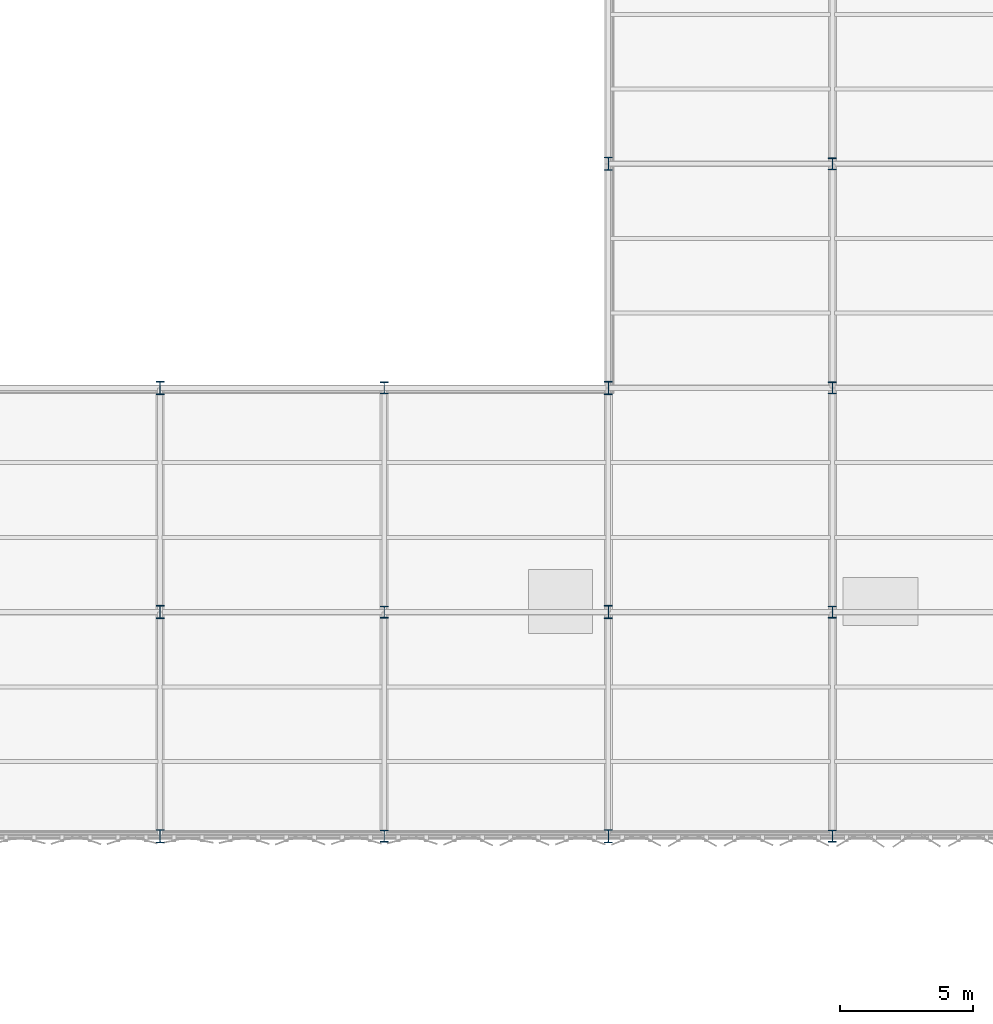
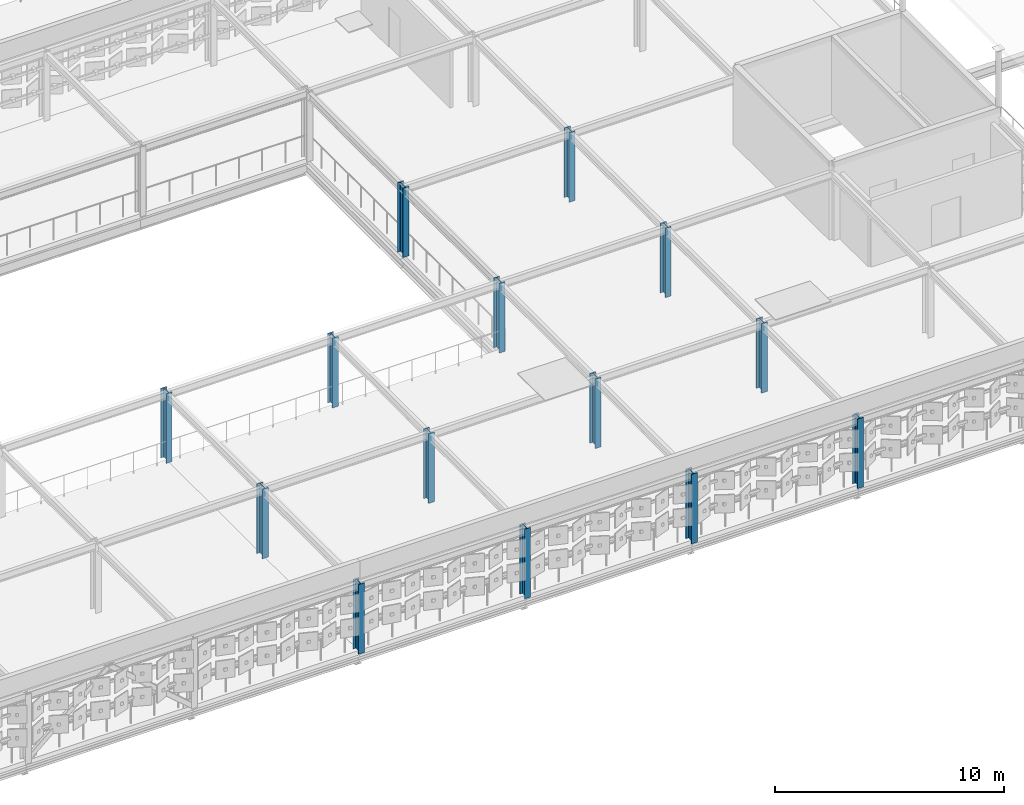
# One storey, part 5 of 65: 14 columns.
"""IFC4 building model written with IfcOpenShell, lengths in metres."""

from ifc_helpers import new_model, si_unit, direction, frame, origin, origin_2d, place, context, subcontext, project, spatial, i_section, extrude, material, material_profile, profile_set, type_object, element, save


model = new_model("IFC4")

# Units and contexts
model_context = context("Model", 3, precision=1e-05, world=origin(), true_north=direction((0.0, 1.0)))
body_context = subcontext(model_context, "Body", "Model", "MODEL_VIEW")
ifc_project = project(units=[si_unit("LENGTHUNIT", "METRE"), si_unit("AREAUNIT", "SQUARE_METRE"), si_unit("VOLUMEUNIT", "CUBIC_METRE"), si_unit("PLANEANGLEUNIT", "RADIAN"), si_unit("MASSUNIT", "GRAM", prefix="KILO")], contexts=[model_context])

# Site, building, storey
site_placement = place(None, origin())
site = spatial("IfcSite", under=ifc_project, at=site_placement, CompositionType="ELEMENT")
building_placement = place(site_placement, origin())
building = spatial("IfcBuilding", under=site, at=building_placement, Name="Qalvenar Corner Mobility Hub", CompositionType="ELEMENT")
storey_placement = place(building_placement, frame((0.0, 0.0, 17.39990234375)))
storey = spatial("IfcBuildingStorey", under=building, at=storey_placement, Name="L04", CompositionType="ELEMENT", Elevation=17.39990234375)

# Columns
ifc_material = material(Name="Steel S355", Category="steel")
ifc_material_profile_1 = material_profile(ifc_material, i_section(OverallWidth=0.300048828125, OverallDepth=0.449951171875, WebThickness=0.013916015625, FlangeThickness=0.02587890625, FilletRadius=0.027099609375, at=origin_2d()), Name="HEB450")
ifc_profile_set_1 = profile_set([ifc_material_profile_1], Name="Steel S355")
column_type_1 = type_object("IfcColumnType", Name="COL-HEB450", PredefinedType="COLUMN", material=ifc_profile_set_1)
for number, where, z_axis, x_axis, name in (
    (1, (109.199951171875, 67.199951171875, 0.0), (0.0, 0.0, 1.0), (1.0, 0.0, 0.0), "Steel Column L04-G14-8"),
    (2, (109.199951171875, 75.60009765625, 0.0), (0.0, 0.0, 1.0), (1.0, 0.0, 0.0), "Steel Column L04-G14-9"),
    (3, (109.199951171875, 84.0, 0.0), (0.0, 0.0, 1.0), (1.0, 0.0, 0.0), "Steel Column L04-G14-10"),
    (4, (126.0, 67.199951171875, 0.0), (0.0, 0.0, 1.0), (1.0, 0.0, 0.0), "Steel Column L04-G16-8"),
    (5, (126.0, 75.60009765625, 0.0), (0.0, 0.0, 1.0), (1.0, 0.0, 0.0), "Steel Column L04-G16-9"),
    (6, (126.0, 84.0, 0.0), (0.0, 0.0, 1.0), (1.0, 0.0, 0.0), "Steel Column L04-G16-10"),
    (7, (126.0, 92.39990234375, 0.0), (0.0, 0.0, 1.0), (1.0, 0.0, 0.0), "Steel Column L04-G16-11"),
):
    element("IfcColumn", number, at=place(storey_placement, frame(where, z_axis=z_axis, x_axis=x_axis)), inside=storey, type_object=column_type_1, Name=name, PredefinedType="COLUMN", context=body_context, shape_type="SweptSolid", body=[
        extrude(i_section(OverallWidth=0.300048828125, OverallDepth=0.449951171875, WebThickness=0.013916015625, FlangeThickness=0.02587890625, FilletRadius=0.027099609375, at=origin_2d()), origin(), (0.0, 0.0, 1.0), 3.710205078125),
    ])
ifc_material_profile_2 = material_profile(ifc_material, i_section(OverallWidth=0.300048828125, OverallDepth=0.5, WebThickness=0.014404296875, FlangeThickness=0.028076171875, FilletRadius=0.027099609375, at=origin_2d()), Name="HEB500")
ifc_profile_set_2 = profile_set([ifc_material_profile_2], Name="Steel S355")
column_type_2 = type_object("IfcColumnType", Name="COL-HEB500", PredefinedType="COLUMN", material=ifc_profile_set_2)
for number, where, z_axis, x_axis, name in (
    (8, (100.800048828125, 67.199951171875, 0.0), (0.0, 0.0, 1.0), (1.0, 0.0, 0.0), "Steel Column L04-G13-8"),
    (9, (100.800048828125, 75.60009765625, 0.0), (0.0, 0.0, 1.0), (1.0, 0.0, 0.0), "Steel Column L04-G13-9"),
    (10, (100.800048828125, 84.0, 0.0), (0.0, 0.0, 1.0), (1.0, 0.0, 0.0), "Steel Column L04-G13-10"),
    (11, (117.60009765625, 67.199951171875, 0.0), (0.0, 0.0, 1.0), (1.0, 0.0, 0.0), "Steel Column L04-G15-8"),
    (12, (117.60009765625, 75.60009765625, 0.0), (0.0, 0.0, 1.0), (1.0, 0.0, 0.0), "Steel Column L04-G15-9"),
    (13, (117.60009765625, 84.0, 0.0), (0.0, 0.0, 1.0), (1.0, 0.0, 0.0), "Steel Column L04-G15-10"),
    (14, (117.60009765625, 92.39990234375, 0.0), (0.0, 0.0, 1.0), (1.0, 0.0, 0.0), "Steel Column L04-G15-11"),
):
    element("IfcColumn", number, at=place(storey_placement, frame(where, z_axis=z_axis, x_axis=x_axis)), inside=storey, type_object=column_type_2, Name=name, PredefinedType="COLUMN", context=body_context, shape_type="SweptSolid", body=[
        extrude(i_section(OverallWidth=0.300048828125, OverallDepth=0.5, WebThickness=0.014404296875, FlangeThickness=0.028076171875, FilletRadius=0.027099609375, at=origin_2d()), origin(), (0.0, 0.0, 1.0), 3.710205078125),
    ])

save(model, "model.ifc")
